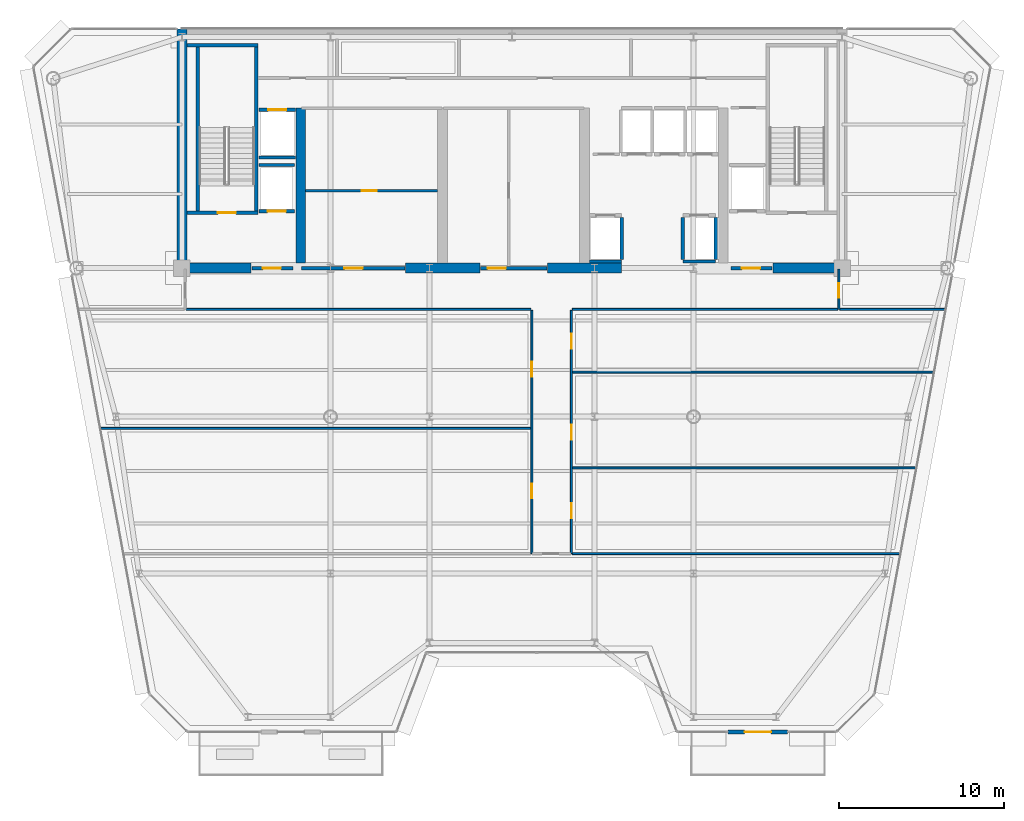
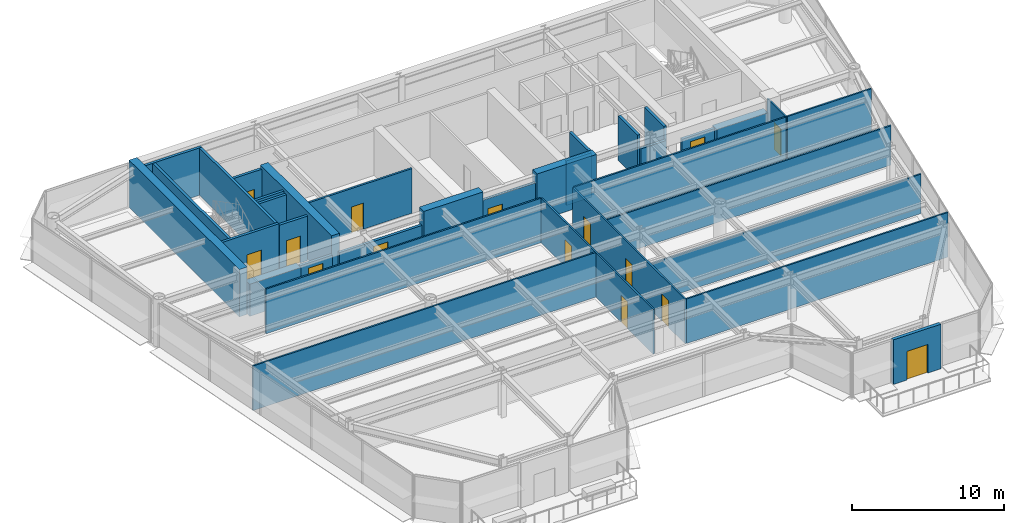
# One storey, part 10 of 16: 35 walls, 15 doors, 15 openings.
"""IFC4 building model written with IfcOpenShell, lengths in metres."""

from ifc_helpers import new_model, si_unit, direction, frame, frame_2d, origin, place, context, subcontext, project, spatial, rectangle, extrude, source, transform, mapped, material, layer, layer_set, type_object, element, fill, save


model = new_model("IFC4")

# Units and contexts
model_context = context("Model", 3, precision=1e-05, world=origin(), true_north=direction((0.0, 1.0)))
body_context = subcontext(model_context, "Body", "Model", "MODEL_VIEW")
ifc_project = project(units=[si_unit("LENGTHUNIT", "METRE"), si_unit("AREAUNIT", "SQUARE_METRE"), si_unit("VOLUMEUNIT", "CUBIC_METRE"), si_unit("PLANEANGLEUNIT", "RADIAN"), si_unit("MASSUNIT", "GRAM", prefix="KILO")], contexts=[model_context])

# Site, building, storey
site_placement = place(None, origin())
site = spatial("IfcSite", under=ifc_project, at=site_placement, CompositionType="ELEMENT")
building_placement = place(site_placement, origin())
building = spatial("IfcBuilding", under=site, at=building_placement, Name="Vaeldorn Concourse Tower", CompositionType="ELEMENT")
storey_placement = place(building_placement, frame((0.0, 0.0, 207.0)))
storey = spatial("IfcBuildingStorey", under=building, at=storey_placement, Name="L53", CompositionType="ELEMENT", Elevation=207.0)

# Walls
ifc_material_1 = material(Name="Concrete C50/60", Category="concrete")
ifc_layer_1 = layer(ifc_material_1, 0.60009765625)
ifc_layer_set_1 = layer_set([ifc_layer_1], Name="Concrete C50/60")
wall_type_1 = type_object("IfcWallType", Name="WL-CORE-600", PredefinedType="SHEAR", material=ifc_layer_set_1)
wall_1_placement = place(storey_placement, frame((14.0, 36.5, 0.0), z_axis=(0.0, 0.0, 1.0), x_axis=(0.0, 1.0, 0.0)))
element("IfcWall", 1, at=wall_1_placement, inside=storey, type_object=wall_type_1, Name="Rear Core Shear Wall L53 W1", PredefinedType="SHEAR", context=body_context, shape_type="SweptSolid", body=[
    extrude(rectangle(XDim=14.5, YDim=0.60009765625, at=frame_2d((7.25, 0.0))), origin(), (0.0, 0.0, 1.0), 3.800048828125),
])
wall_2_placement = place(storey_placement, frame((14.320068359375, 36.5, 0.0), z_axis=(0.0, 0.0, 1.0), x_axis=(1.0, 0.0, 0.0)))
element("IfcWall", 2, at=wall_2_placement, inside=storey, type_object=wall_type_1, Name="Rear Core Shear Wall L53 S1", PredefinedType="SHEAR", context=body_context, shape_type="SweptSolid", body=[
    extrude(rectangle(XDim=3.8798828125, YDim=0.60009765625, at=frame_2d((1.93994140625, 0.0))), origin(), (0.0, 0.0, 1.0), 2.580078125),
])
for number, where, z_axis, x_axis, name in (
    (3, (27.550048828125, 36.5, 0.0), (0.0, 0.0, 1.0), (1.0, 0.0, 0.0), "Rear Core Shear Wall L53 S2"),
    (4, (36.14990234375, 36.5, 0.0), (0.0, 0.0, 1.0), (1.0, 0.0, 0.0), "Rear Core Shear Wall L53 S3"),
):
    element("IfcWall", number, at=place(storey_placement, frame(where, z_axis=z_axis, x_axis=x_axis)), inside=storey, type_object=wall_type_1, Name=name, PredefinedType="SHEAR", context=body_context, shape_type="SweptSolid", body=[
        extrude(rectangle(XDim=4.5, YDim=0.60009765625, at=frame_2d((2.25, 0.0))), origin(), (0.0, 0.0, 1.0), 3.800048828125),
    ])
wall_3_placement = place(storey_placement, frame((49.800048828125, 36.5, 0.0), z_axis=(0.0, 0.0, 1.0), x_axis=(1.0, 0.0, 0.0)))
element("IfcWall", 5, at=wall_3_placement, inside=storey, type_object=wall_type_1, Name="Rear Core Shear Wall L53 S4", PredefinedType="SHEAR", context=body_context, shape_type="SweptSolid", body=[
    extrude(rectangle(XDim=3.8798828125, YDim=0.60009765625, at=frame_2d((1.93994140625, 0.0))), origin(), (0.0, 0.0, 1.0), 2.580078125),
])
wall_4_placement = place(storey_placement, frame((21.199951171875, 36.820068359375, 0.0), z_axis=(0.0, 0.0, 1.0), x_axis=(0.0, 1.0, 0.0)))
element("IfcWall", 6, at=wall_4_placement, inside=storey, type_object=wall_type_1, Name="Rear Core Shear Wall L53 M1", PredefinedType="SHEAR", context=body_context, shape_type="SweptSolid", body=[
    extrude(rectangle(XDim=9.3798828125, YDim=0.60009765625, at=frame_2d((4.68994140625, 0.0))), origin(), (0.0, 0.0, 1.0), 3.800048828125),
])

# Wall, opening, door
ifc_material_2 = material(Name="Precast concrete C40/50", Category="concrete")
ifc_layer_2 = layer(ifc_material_2, 0.25)
ifc_layer_set_2 = layer_set([ifc_layer_2], Name="Precast concrete C40/50")
wall_type_2 = type_object("IfcWallType", Name="WL-EXT-TERRACE-250", PredefinedType="STANDARD", material=ifc_layer_set_2)
wall_5_placement = place(storey_placement, frame((50.699951171875, 8.39990234375, 0.0), z_axis=(0.0, 0.0, 1.0), x_axis=(-1.0, 0.0, 0.0)))
wall_5 = element("IfcWall", 7, at=wall_5_placement, inside=storey, type_object=wall_type_2, Name="Sawtooth Sky Garden Portal Wall L53-2", PredefinedType="STANDARD", context=body_context, shape_type="SweptSolid", body=[
    extrude(rectangle(XDim=3.599853515625, YDim=0.25, at=frame_2d((1.7998046875, 0.0))), origin(), (0.0, 0.0, 1.0), 3.580078125),
])
opening_1_placement = place(wall_5_placement, frame((1.0, 0.0, 0.0)))
opening_1 = element("IfcOpeningElement", 8, at=opening_1_placement, cuts=wall_5, Name="Opening DG-1", PredefinedType="OPENING", context=body_context, shape_type="SweptSolid", body=[
    extrude(rectangle(XDim=1.60009765625, YDim=2.300048828125, at=frame_2d((0.800048828125, 1.14990234375))), frame((0.0, 0.135009765625, 0.0), z_axis=(0.0, -1.0, 0.0), x_axis=(1.0, 0.0, 0.0)), (0.0, 0.0, 1.0), 0.27001953125),
])
ifc_material_3 = material(Name="Anodised Bronze Aluminium", Category="aluminium")
door_type_1 = type_object("IfcDoorType", Name="DR-EXTERNAL-1600", OperationType="DOUBLE_DOOR_SINGLE_SWING", PredefinedType="DOOR", material=ifc_material_3)
shared_shape_1 = source(origin(), body_context, "Body", "SweptSolid", [
    extrude(rectangle(XDim=1.60009765625, YDim=2.300048828125, at=frame_2d((0.800048828125, 1.14990234375))), frame((0.0, 0.02490234375, 0.0), z_axis=(0.0, -1.0, 0.0), x_axis=(1.0, 0.0, 0.0)), (0.0, 0.0, 1.0), 0.050048828125),
])
door_1_placement = place(opening_1_placement, origin())
door_1 = element("IfcDoor", 9, at=door_1_placement, inside=storey, type_object=door_type_1, Name="Sawtooth Sky Garden Terrace Door L53-2", OperationType="DOUBLE_DOOR_SINGLE_SWING", OverallHeight=2.300048828125, OverallWidth=1.60009765625, PredefinedType="DOOR", context=body_context, shape_type="MappedRepresentation", body=[
    mapped(shared_shape_1, transform((0.0, 0.0, 0.0), scale=1.0)),
])
fill(opening_1, door_1)

# Walls
ifc_material_4 = material(Name="Gypsum Board Partition", Category="gypsum")
ifc_layer_3 = layer(ifc_material_4, 0.1201171875)
ifc_layer_set_3 = layer_set([ifc_layer_3], Name="Gypsum Board Partition")
wall_type_3 = type_object("IfcWallType", Name="WL-PART-120", PredefinedType="PARTITIONING", material=ifc_layer_set_3)
wall_6_placement = place(storey_placement, frame((14.260009765625, 34.0, 0.0), z_axis=(0.0, 0.0, 1.0), x_axis=(1.0, 0.0, 0.0)))
element("IfcWall", 10, at=wall_6_placement, inside=storey, type_object=wall_type_3, Name="Interior Wall PW-L53-C3SW", PredefinedType="PARTITIONING", context=body_context, shape_type="SweptSolid", body=[
    extrude(rectangle(XDim=20.8798828125, YDim=0.1201171875, at=frame_2d((10.43994140625, 0.0))), origin(), (0.0, 0.0, 1.0), 3.580078125),
])
wall_7_placement = place(storey_placement, frame((37.659912109375, 34.0, 0.0), z_axis=(0.0, 0.0, 1.0), x_axis=(1.0, 0.0, 0.0)))
element("IfcWall", 11, at=wall_7_placement, inside=storey, type_object=wall_type_3, Name="Interior Wall PW-L53-C3SE", PredefinedType="PARTITIONING", context=body_context, shape_type="SweptSolid", body=[
    extrude(rectangle(XDim=16.080078125, YDim=0.1201171875, at=frame_2d((8.0400390625, 0.0))), origin(), (0.0, 0.0, 1.0), 3.580078125),
])

# Wall, opening, door
wall_8_placement = place(storey_placement, frame((53.800048828125, 34.0, 0.0), z_axis=(0.0, 0.0, 1.0), x_axis=(0.0, 1.0, 0.0)))
wall_8 = element("IfcWall", 12, at=wall_8_placement, inside=storey, type_object=wall_type_3, Name="Interior Wall PW-L53-C3E", PredefinedType="PARTITIONING", context=body_context, shape_type="SweptSolid", body=[
    extrude(rectangle(XDim=2.43994140625, YDim=0.1201171875, at=frame_2d((1.219970703125, 0.0))), origin(), (0.0, 0.0, 1.0), 3.580078125),
])
opening_2_placement = place(wall_8_placement, frame((0.699951171875, 0.0, 0.0)))
opening_2 = element("IfcOpeningElement", 13, at=opening_2_placement, cuts=wall_8, Name="Opening D-03", PredefinedType="OPENING", context=body_context, shape_type="SweptSolid", body=[
    extrude(rectangle(XDim=0.89990234375, YDim=2.14990234375, at=frame_2d((0.449951171875, 1.074951171875))), frame((0.0, 0.070068359375, 0.0), z_axis=(0.0, -1.0, 0.0), x_axis=(1.0, 0.0, 0.0)), (0.0, 0.0, 1.0), 0.14013671875),
])
ifc_material_5 = material(Name="Acoustic Bronze-Framed Glass Door", Category="glass")
door_type_2 = type_object("IfcDoorType", Name="DR-INT-900", OperationType="NOTDEFINED", PredefinedType="DOOR", material=ifc_material_5)
shared_shape_2 = source(origin(), body_context, "Body", "SweptSolid", [
    extrude(rectangle(XDim=0.89990234375, YDim=2.14990234375, at=frame_2d((0.449951171875, 1.074951171875))), frame((0.0, 0.02490234375, 0.0), z_axis=(0.0, -1.0, 0.0), x_axis=(1.0, 0.0, 0.0)), (0.0, 0.0, 1.0), 0.050048828125),
])
door_2_placement = place(opening_2_placement, origin())
door_2 = element("IfcDoor", 14, at=door_2_placement, inside=storey, type_object=door_type_2, Name="Interior Door DR-L53-Z3NE", OperationType="SINGLE_SWING_RIGHT", OverallHeight=2.14990234375, OverallWidth=0.89990234375, PredefinedType="DOOR", context=body_context, shape_type="MappedRepresentation", body=[
    mapped(shared_shape_2, transform((0.0, 0.0, 0.0), scale=1.0)),
])
fill(opening_2, door_2)

# Wall, openings, doors
wall_9_placement = place(storey_placement, frame((35.199951171875, 19.199951171875, 0.0), z_axis=(0.0, 0.0, 1.0), x_axis=(0.0, 1.0, 0.0)))
wall_9 = element("IfcWall", 15, at=wall_9_placement, inside=storey, type_object=wall_type_3, Name="Interior Wall PW-L53-CSPW", PredefinedType="PARTITIONING", context=body_context, shape_type="SweptSolid", body=[
    extrude(rectangle(XDim=14.739990234375, YDim=0.1201171875, at=frame_2d((7.3701171875, 0.0))), origin(), (0.0, 0.0, 1.0), 3.580078125),
])
opening_3_placement = place(wall_9_placement, frame((3.35009765625, 0.0, 0.0)))
opening_3 = element("IfcOpeningElement", 16, at=opening_3_placement, cuts=wall_9, Name="Opening D-03", PredefinedType="OPENING", context=body_context, shape_type="SweptSolid", body=[
    extrude(rectangle(XDim=0.89990234375, YDim=2.14990234375, at=frame_2d((0.449951171875, 1.074951171875))), frame((0.0, 0.070068359375, 0.0), z_axis=(0.0, -1.0, 0.0), x_axis=(1.0, 0.0, 0.0)), (0.0, 0.0, 1.0), 0.14013671875),
])
opening_4_placement = place(wall_9_placement, frame((10.719970703125, 0.0, 0.0)))
opening_4 = element("IfcOpeningElement", 17, at=opening_4_placement, cuts=wall_9, Name="Opening D-03", PredefinedType="OPENING", context=body_context, shape_type="SweptSolid", body=[
    extrude(rectangle(XDim=0.89990234375, YDim=2.14990234375, at=frame_2d((0.449951171875, 1.074951171875))), frame((0.0, 0.070068359375, 0.0), z_axis=(0.0, -1.0, 0.0), x_axis=(1.0, 0.0, 0.0)), (0.0, 0.0, 1.0), 0.14013671875),
])
door_3_placement = place(opening_3_placement, origin())
door_3 = element("IfcDoor", 18, at=door_3_placement, inside=storey, type_object=door_type_2, Name="Interior Door DR-L53-Z3W1", OperationType="SINGLE_SWING_LEFT", OverallHeight=2.14990234375, OverallWidth=0.89990234375, PredefinedType="DOOR", context=body_context, shape_type="MappedRepresentation", body=[
    mapped(shared_shape_2, transform((0.0, 0.0, 0.0), scale=1.0)),
])
fill(opening_3, door_3)
door_4_placement = place(opening_4_placement, origin())
door_4 = element("IfcDoor", 19, at=door_4_placement, inside=storey, type_object=door_type_2, Name="Interior Door DR-L53-Z3W2", OperationType="SINGLE_SWING_RIGHT", OverallHeight=2.14990234375, OverallWidth=0.89990234375, PredefinedType="DOOR", context=body_context, shape_type="MappedRepresentation", body=[
    mapped(shared_shape_2, transform((0.0, 0.0, 0.0), scale=1.0)),
])
fill(opening_4, door_4)

wall_10_placement = place(storey_placement, frame((37.60009765625, 19.199951171875, 0.0), z_axis=(0.0, 0.0, 1.0), x_axis=(0.0, 1.0, 0.0)))
wall_10 = element("IfcWall", 20, at=wall_10_placement, inside=storey, type_object=wall_type_3, Name="Interior Wall PW-L53-CSPE", PredefinedType="PARTITIONING", context=body_context, shape_type="SweptSolid", body=[
    extrude(rectangle(XDim=14.739990234375, YDim=0.1201171875, at=frame_2d((7.3701171875, 0.0))), origin(), (0.0, 0.0, 1.0), 3.580078125),
])
opening_5_placement = place(wall_10_placement, frame((2.14990234375, 0.0, 0.0)))
opening_5 = element("IfcOpeningElement", 21, at=opening_5_placement, cuts=wall_10, Name="Opening D-03", PredefinedType="OPENING", context=body_context, shape_type="SweptSolid", body=[
    extrude(rectangle(XDim=0.89990234375, YDim=2.14990234375, at=frame_2d((0.449951171875, 1.074951171875))), frame((0.0, 0.070068359375, 0.0), z_axis=(0.0, -1.0, 0.0), x_axis=(1.0, 0.0, 0.0)), (0.0, 0.0, 1.0), 0.14013671875),
])
opening_6_placement = place(wall_10_placement, frame((6.89990234375, 0.0, 0.0)))
opening_6 = element("IfcOpeningElement", 22, at=opening_6_placement, cuts=wall_10, Name="Opening D-03", PredefinedType="OPENING", context=body_context, shape_type="SweptSolid", body=[
    extrude(rectangle(XDim=0.89990234375, YDim=2.14990234375, at=frame_2d((0.449951171875, 1.074951171875))), frame((0.0, 0.070068359375, 0.0), z_axis=(0.0, -1.0, 0.0), x_axis=(1.0, 0.0, 0.0)), (0.0, 0.0, 1.0), 0.14013671875),
])
opening_7_placement = place(wall_10_placement, frame((12.419921875, 0.0, 0.0)))
opening_7 = element("IfcOpeningElement", 23, at=opening_7_placement, cuts=wall_10, Name="Opening D-03", PredefinedType="OPENING", context=body_context, shape_type="SweptSolid", body=[
    extrude(rectangle(XDim=0.89990234375, YDim=2.14990234375, at=frame_2d((0.449951171875, 1.074951171875))), frame((0.0, 0.070068359375, 0.0), z_axis=(0.0, -1.0, 0.0), x_axis=(1.0, 0.0, 0.0)), (0.0, 0.0, 1.0), 0.14013671875),
])
door_5_placement = place(opening_5_placement, origin())
door_5 = element("IfcDoor", 24, at=door_5_placement, inside=storey, type_object=door_type_2, Name="Interior Door DR-L53-Z3E1", OperationType="SINGLE_SWING_RIGHT", OverallHeight=2.14990234375, OverallWidth=0.89990234375, PredefinedType="DOOR", context=body_context, shape_type="MappedRepresentation", body=[
    mapped(shared_shape_2, transform((0.0, 0.0, 0.0), scale=1.0)),
])
fill(opening_5, door_5)
door_6_placement = place(opening_6_placement, origin())
door_6 = element("IfcDoor", 25, at=door_6_placement, inside=storey, type_object=door_type_2, Name="Interior Door DR-L53-Z3E2", OperationType="SINGLE_SWING_LEFT", OverallHeight=2.14990234375, OverallWidth=0.89990234375, PredefinedType="DOOR", context=body_context, shape_type="MappedRepresentation", body=[
    mapped(shared_shape_2, transform((0.0, 0.0, 0.0), scale=1.0)),
])
fill(opening_6, door_6)
door_7_placement = place(opening_7_placement, origin())
door_7 = element("IfcDoor", 26, at=door_7_placement, inside=storey, type_object=door_type_2, Name="Interior Door DR-L53-Z3E3", OperationType="SINGLE_SWING_RIGHT", OverallHeight=2.14990234375, OverallWidth=0.89990234375, PredefinedType="DOOR", context=body_context, shape_type="MappedRepresentation", body=[
    mapped(shared_shape_2, transform((0.0, 0.0, 0.0), scale=1.0)),
])
fill(opening_7, door_7)

# Walls
wall_11_placement = place(storey_placement, frame((53.860107421875, 34.0, 0.0), z_axis=(0.0, 0.0, 1.0), x_axis=(1.0, 0.0, 0.0)))
element("IfcWall", 27, at=wall_11_placement, inside=storey, type_object=wall_type_3, Name="Interior Wall PW-L53-Z3NEB", PredefinedType="PARTITIONING", context=body_context, shape_type="SweptSolid", body=[
    extrude(rectangle(XDim=6.380859375, YDim=0.1201171875, at=frame_2d((3.1904296875, 0.0))), origin(), (0.0, 0.0, 1.0), 3.580078125),
])
wall_12_placement = place(storey_placement, frame((9.0908203125, 26.800048828125, 0.0), z_axis=(0.0, 0.0, 1.0), x_axis=(1.0, 0.0, 0.0)))
element("IfcWall", 28, at=wall_12_placement, inside=storey, type_object=wall_type_3, Name="Interior Wall PW-L53-Z3WY1", PredefinedType="PARTITIONING", context=body_context, shape_type="SweptSolid", body=[
    extrude(rectangle(XDim=26.049072265625, YDim=0.1201171875, at=frame_2d((13.0244140625, 0.0))), origin(), (0.0, 0.0, 1.0), 3.580078125),
])
wall_13_placement = place(storey_placement, frame((37.659912109375, 24.39990234375, 0.0), z_axis=(0.0, 0.0, 1.0), x_axis=(1.0, 0.0, 0.0)))
element("IfcWall", 29, at=wall_13_placement, inside=storey, type_object=wall_type_3, Name="Interior Wall PW-L53-Z3EY1", PredefinedType="PARTITIONING", context=body_context, shape_type="SweptSolid", body=[
    extrude(rectangle(XDim=20.80517578125, YDim=0.1201171875, at=frame_2d((10.402587890625, 0.0))), origin(), (0.0, 0.0, 1.0), 3.169921875),
])
wall_14_placement = place(storey_placement, frame((37.659912109375, 30.199951171875, 0.0), z_axis=(0.0, 0.0, 1.0), x_axis=(1.0, 0.0, 0.0)))
element("IfcWall", 30, at=wall_14_placement, inside=storey, type_object=wall_type_3, Name="Interior Wall PW-L53-Z3EY2", PredefinedType="PARTITIONING", context=body_context, shape_type="SweptSolid", body=[
    extrude(rectangle(XDim=21.878173828125, YDim=0.1201171875, at=frame_2d((10.93896484375, 0.0))), origin(), (0.0, 0.0, 1.0), 3.169921875),
])
wall_15_placement = place(storey_placement, frame((37.659912109375, 19.199951171875, 0.0), z_axis=(0.0, 0.0, 1.0), x_axis=(1.0, 0.0, 0.0)))
element("IfcWall", 31, at=wall_15_placement, inside=storey, type_object=wall_type_3, Name="Interior Wall PW-L53-Z3SEL", PredefinedType="PARTITIONING", context=body_context, shape_type="SweptSolid", body=[
    extrude(rectangle(XDim=19.843505859375, YDim=0.1201171875, at=frame_2d((9.921875, 0.0))), origin(), (0.0, 0.0, 1.0), 3.580078125),
])

# Wall, opening, door
ifc_layer_4 = layer(ifc_material_4, 0.14990234375)
ifc_layer_set_4 = layer_set([ifc_layer_4], Name="Gypsum Board Partition")
wall_type_4 = type_object("IfcWallType", Name="WL-PART-150", PredefinedType="PARTITIONING", material=ifc_layer_set_4)
wall_16_placement = place(storey_placement, frame((21.5, 41.199951171875, 0.0), z_axis=(0.0, 0.0, 1.0), x_axis=(1.0, 0.0, 0.0)))
wall_16 = element("IfcWall", 32, at=wall_16_placement, inside=storey, type_object=wall_type_4, Name="Interior Wall CW-L53-R1M", PredefinedType="PARTITIONING", context=body_context, shape_type="SweptSolid", body=[
    extrude(rectangle(XDim=8.0, YDim=0.14990234375, at=frame_2d((4.0, 0.0))), origin(), (0.0, 0.0, 1.0), 3.580078125),
])
opening_8_placement = place(wall_16_placement, frame((3.39990234375, 0.0, 0.0)))
opening_8 = element("IfcOpeningElement", 33, at=opening_8_placement, cuts=wall_16, Name="Opening D-02", PredefinedType="OPENING", context=body_context, shape_type="SweptSolid", body=[
    extrude(rectangle(XDim=0.89990234375, YDim=2.10009765625, at=frame_2d((0.449951171875, 1.050048828125))), frame((0.0, 0.0849609375, 0.0), z_axis=(0.0, -1.0, 0.0), x_axis=(1.0, 0.0, 0.0)), (0.0, 0.0, 1.0), 0.169921875),
])
ifc_material_6 = material(Name="Fire-Rated Timber Leaf", Category="wood")
door_type_3 = type_object("IfcDoorType", Name="DR-FD30-900", OperationType="NOTDEFINED", PredefinedType="DOOR", material=ifc_material_6)
shared_shape_3 = source(origin(), body_context, "Body", "SweptSolid", [
    extrude(rectangle(XDim=0.89990234375, YDim=2.10009765625, at=frame_2d((0.449951171875, 1.050048828125))), frame((0.0, 0.02490234375, 0.0), z_axis=(0.0, -1.0, 0.0), x_axis=(1.0, 0.0, 0.0)), (0.0, 0.0, 1.0), 0.050048828125),
])
door_8_placement = place(opening_8_placement, origin())
door_8 = element("IfcDoor", 34, at=door_8_placement, inside=storey, type_object=door_type_3, Name="Interior Door DR-L53-R1M", OperationType="SINGLE_SWING_RIGHT", OverallHeight=2.10009765625, OverallWidth=0.89990234375, PredefinedType="DOOR", context=body_context, shape_type="MappedRepresentation", body=[
    mapped(shared_shape_3, transform((0.0, 0.0, 0.0), scale=1.0)),
])
fill(opening_8, door_8)

ifc_layer_5 = layer(ifc_material_1, 0.199951171875)
ifc_layer_set_5 = layer_set([ifc_layer_5], Name="Concrete C50/60")
wall_type_5 = type_object("IfcWallType", Name="WL-SHAFT-200", PredefinedType="SOLIDWALL", material=ifc_layer_set_5)
wall_17_placement = place(storey_placement, frame((14.300048828125, 39.85009765625, 0.0), z_axis=(0.0, 0.0, 1.0), x_axis=(1.0, 0.0, 0.0)))
wall_17 = element("IfcWall", 35, at=wall_17_placement, inside=storey, type_object=wall_type_5, Name="Stair Shaft Wall CW-L53-ST-1-S", PredefinedType="SOLIDWALL", context=body_context, shape_type="SweptSolid", body=[
    extrude(rectangle(XDim=4.300048828125, YDim=0.199951171875, at=frame_2d((2.14990234375, 0.0))), origin(), (0.0, 0.0, 1.0), 3.800048828125),
])
opening_9_placement = place(wall_17_placement, frame((1.875, 0.0, 0.0)))
opening_9 = element("IfcOpeningElement", 36, at=opening_9_placement, cuts=wall_17, Name="Opening D-01", PredefinedType="OPENING", context=body_context, shape_type="SweptSolid", body=[
    extrude(rectangle(XDim=1.10009765625, YDim=2.14990234375, at=frame_2d((0.550048828125, 1.074951171875))), frame((0.0, 0.10986328125, 0.0), z_axis=(0.0, -1.0, 0.0), x_axis=(1.0, 0.0, 0.0)), (0.0, 0.0, 1.0), 0.219970703125),
])
ifc_material_7 = material(Name="Fire-Rated Timber and Steel Leaf", Category="steel")
door_type_4 = type_object("IfcDoorType", Name="DR-FD60-1100", OperationType="NOTDEFINED", PredefinedType="DOOR", material=ifc_material_7)
shared_shape_4 = source(origin(), body_context, "Body", "SweptSolid", [
    extrude(rectangle(XDim=1.10009765625, YDim=2.14990234375, at=frame_2d((0.550048828125, 1.074951171875))), frame((0.0, 0.02490234375, 0.0), z_axis=(0.0, -1.0, 0.0), x_axis=(1.0, 0.0, 0.0)), (0.0, 0.0, 1.0), 0.050048828125),
])
door_9_placement = place(opening_9_placement, origin())
door_9 = element("IfcDoor", 37, at=door_9_placement, inside=storey, type_object=door_type_4, Name="Interior Door DR-L53-ST-1", OperationType="SINGLE_SWING_LEFT", OverallHeight=2.14990234375, OverallWidth=1.10009765625, PredefinedType="DOOR", context=body_context, shape_type="MappedRepresentation", body=[
    mapped(shared_shape_4, transform((0.0, 0.0, 0.0), scale=1.0)),
])
fill(opening_9, door_9)

# Walls
wall_18_placement = place(storey_placement, frame((14.300048828125, 50.0, 0.0), z_axis=(0.0, 0.0, 1.0), x_axis=(1.0, 0.0, 0.0)))
element("IfcWall", 38, at=wall_18_placement, inside=storey, type_object=wall_type_5, Name="Stair Shaft Wall CW-L53-ST-1-N", PredefinedType="SOLIDWALL", context=body_context, shape_type="SweptSolid", body=[
    extrude(rectangle(XDim=4.300048828125, YDim=0.199951171875, at=frame_2d((2.14990234375, 0.0))), origin(), (0.0, 0.0, 1.0), 3.800048828125),
])
for number, where, z_axis, x_axis, name in (
    (39, (14.949951171875, 39.9599609375, 0.0), (0.0, 0.0, 1.0), (0.0, 1.0, 0.0), "Stair Shaft Wall CW-L53-ST-1-W"),
    (40, (18.5, 39.9599609375, 0.0), (0.0, 0.0, 1.0), (0.0, 1.0, 0.0), "Stair Shaft Wall CW-L53-ST-1-E"),
):
    element("IfcWall", number, at=place(storey_placement, frame(where, z_axis=z_axis, x_axis=x_axis)), inside=storey, type_object=wall_type_5, Name=name, PredefinedType="SOLIDWALL", context=body_context, shape_type="SweptSolid", body=[
        extrude(rectangle(XDim=9.929931640625, YDim=0.199951171875, at=frame_2d((4.96484375, 0.0))), origin(), (0.0, 0.0, 1.0), 3.800048828125),
    ])

# Wall, opening, door
wall_19_placement = place(storey_placement, frame((18.25, 36.5, 0.0), z_axis=(0.0, 0.0, 1.0), x_axis=(1.0, 0.0, 0.0)))
wall_19 = element("IfcWall", 41, at=wall_19_placement, inside=storey, type_object=wall_type_5, Name="Interior Wall CW-L53-FF1S", PredefinedType="SOLIDWALL", context=body_context, shape_type="SweptSolid", body=[
    extrude(rectangle(XDim=2.469970703125, YDim=0.199951171875, at=frame_2d((1.23486328125, 0.0))), origin(), (0.0, 0.0, 1.0), 2.570068359375),
])
opening_10_placement = place(wall_19_placement, frame((0.64990234375, 0.0, 0.0)))
opening_10 = element("IfcOpeningElement", 42, at=opening_10_placement, cuts=wall_19, Name="Opening D-01", PredefinedType="OPENING", context=body_context, shape_type="SweptSolid", body=[
    extrude(rectangle(XDim=1.10009765625, YDim=2.14990234375, at=frame_2d((0.550048828125, 1.074951171875))), frame((0.0, 0.10986328125, 0.0), z_axis=(0.0, -1.0, 0.0), x_axis=(1.0, 0.0, 0.0)), (0.0, 0.0, 1.0), 0.219970703125),
])
door_10_placement = place(opening_10_placement, origin())
door_10 = element("IfcDoor", 43, at=door_10_placement, inside=storey, type_object=door_type_4, Name="Interior Door DR-L53-FF1E", OperationType="SINGLE_SWING_RIGHT", OverallHeight=2.14990234375, OverallWidth=1.10009765625, PredefinedType="DOOR", context=body_context, shape_type="MappedRepresentation", body=[
    mapped(shared_shape_4, transform((0.0, 0.0, 0.0), scale=1.0)),
])
fill(opening_10, door_10)

wall_20_placement = place(storey_placement, frame((47.280029296875, 36.5, 0.0), z_axis=(0.0, 0.0, 1.0), x_axis=(1.0, 0.0, 0.0)))
wall_20 = element("IfcWall", 44, at=wall_20_placement, inside=storey, type_object=wall_type_5, Name="Interior Wall CW-L53-FF2S", PredefinedType="SOLIDWALL", context=body_context, shape_type="SweptSolid", body=[
    extrude(rectangle(XDim=2.469970703125, YDim=0.199951171875, at=frame_2d((1.23486328125, 0.0))), origin(), (0.0, 0.0, 1.0), 2.570068359375),
])
opening_11_placement = place(wall_20_placement, frame((0.64990234375, 0.0, 0.0)))
opening_11 = element("IfcOpeningElement", 45, at=opening_11_placement, cuts=wall_20, Name="Opening D-01", PredefinedType="OPENING", context=body_context, shape_type="SweptSolid", body=[
    extrude(rectangle(XDim=1.10009765625, YDim=2.14990234375, at=frame_2d((0.550048828125, 1.074951171875))), frame((0.0, 0.10986328125, 0.0), z_axis=(0.0, -1.0, 0.0), x_axis=(1.0, 0.0, 0.0)), (0.0, 0.0, 1.0), 0.219970703125),
])
door_11_placement = place(opening_11_placement, origin())
door_11 = element("IfcDoor", 46, at=door_11_placement, inside=storey, type_object=door_type_4, Name="Interior Door DR-L53-FF2W", OperationType="SINGLE_SWING_LEFT", OverallHeight=2.14990234375, OverallWidth=1.10009765625, PredefinedType="DOOR", context=body_context, shape_type="MappedRepresentation", body=[
    mapped(shared_shape_4, transform((0.0, 0.0, 0.0), scale=1.0)),
])
fill(opening_11, door_11)

# Walls
wall_21_placement = place(storey_placement, frame((38.7099609375, 36.89990234375, 0.0), z_axis=(0.0, 0.0, 1.0), x_axis=(1.0, 0.0, 0.0)))
element("IfcWall", 47, at=wall_21_placement, inside=storey, type_object=wall_type_5, Name="Interior Wall CW-L53-LFB-LF-13", PredefinedType="SOLIDWALL", context=body_context, shape_type="SweptSolid", body=[
    extrude(rectangle(XDim=1.919921875, YDim=0.199951171875, at=frame_2d((0.9599609375, 0.0))), origin(), (0.0, 0.0, 1.0), 3.580078125),
])
wall_22_placement = place(storey_placement, frame((40.64990234375, 37.02001953125, 0.0), z_axis=(0.0, 0.0, 1.0), x_axis=(0.0, 1.0, 0.0)))
element("IfcWall", 48, at=wall_22_placement, inside=storey, type_object=wall_type_5, Name="Interior Wall CW-L53-LFE-LF-13", PredefinedType="SOLIDWALL", context=body_context, shape_type="SweptSolid", body=[
    extrude(rectangle(XDim=2.56005859375, YDim=0.199951171875, at=frame_2d((1.280029296875, 0.0))), origin(), (0.0, 0.0, 1.0), 3.580078125),
])
wall_23_placement = place(storey_placement, frame((44.3701171875, 36.89990234375, 0.0), z_axis=(0.0, 0.0, 1.0), x_axis=(1.0, 0.0, 0.0)))
element("IfcWall", 49, at=wall_23_placement, inside=storey, type_object=wall_type_5, Name="Interior Wall CW-L53-LFB-LF-14", PredefinedType="SOLIDWALL", context=body_context, shape_type="SweptSolid", body=[
    extrude(rectangle(XDim=1.9599609375, YDim=0.199951171875, at=frame_2d((0.97998046875, 0.0))), origin(), (0.0, 0.0, 1.0), 2.570068359375),
])
for number, where, z_axis, x_axis, name in (
    (50, (44.35009765625, 37.02001953125, 0.0), (0.0, 0.0, 1.0), (0.0, 1.0, 0.0), "Interior Wall CW-L53-LFW-LF-14"),
    (51, (46.35009765625, 37.02001953125, 0.0), (0.0, 0.0, 1.0), (0.0, 1.0, 0.0), "Interior Wall CW-L53-LFE-LF-14"),
):
    element("IfcWall", number, at=place(storey_placement, frame(where, z_axis=z_axis, x_axis=x_axis)), inside=storey, type_object=wall_type_5, Name=name, PredefinedType="SOLIDWALL", context=body_context, shape_type="SweptSolid", body=[
        extrude(rectangle(XDim=2.56005859375, YDim=0.199951171875, at=frame_2d((1.280029296875, 0.0))), origin(), (0.0, 0.0, 1.0), 3.580078125),
    ])

# Wall, opening, door
wall_24_placement = place(storey_placement, frame((18.669921875, 46.10009765625, 0.0), z_axis=(0.0, 0.0, 1.0), x_axis=(1.0, 0.0, 0.0)))
wall_24 = element("IfcWall", 52, at=wall_24_placement, inside=storey, type_object=wall_type_5, Name="Interior Wall CW-L53-LF-LF-SV1", PredefinedType="SOLIDWALL", context=body_context, shape_type="SweptSolid", body=[
    extrude(rectangle(XDim=2.219970703125, YDim=0.199951171875, at=frame_2d((1.10986328125, 0.0))), origin(), (0.0, 0.0, 1.0), 3.580078125),
])
opening_12_placement = place(wall_24_placement, frame((0.56005859375, 0.0, 0.0)))
opening_12 = element("IfcOpeningElement", 53, at=opening_12_placement, cuts=wall_24, Name="Opening LD-1", PredefinedType="OPENING", context=body_context, shape_type="SweptSolid", body=[
    extrude(rectangle(XDim=1.10009765625, YDim=2.14990234375, at=frame_2d((0.550048828125, 1.074951171875))), frame((0.0, 0.10986328125, 0.0), z_axis=(0.0, -1.0, 0.0), x_axis=(1.0, 0.0, 0.0)), (0.0, 0.0, 1.0), 0.219970703125),
])
door_type_5 = type_object("IfcDoorType", Name="DR-LIFT-SLIDE-1100", OperationType="DOUBLE_DOOR_SLIDING", PredefinedType="DOOR", material=ifc_material_3)
door_12_placement = place(opening_12_placement, origin())
door_12 = element("IfcDoor", 54, at=door_12_placement, inside=storey, type_object=door_type_5, Name="Lift Landing Door LD-L53-LF-SV1", OperationType="DOUBLE_DOOR_SLIDING", OverallHeight=2.14990234375, OverallWidth=1.10009765625, PredefinedType="DOOR", context=body_context, shape_type="MappedRepresentation", body=[
    mapped(shared_shape_4, transform((0.0, 0.0, 0.0), scale=1.0)),
])
fill(opening_12, door_12)

# Wall
wall_25_placement = place(storey_placement, frame((18.669921875, 43.199951171875, 0.0), z_axis=(0.0, 0.0, 1.0), x_axis=(1.0, 0.0, 0.0)))
element("IfcWall", 55, at=wall_25_placement, inside=storey, type_object=wall_type_5, Name="Interior Wall CW-L53-LFB-LF-SV1", PredefinedType="SOLIDWALL", context=body_context, shape_type="SweptSolid", body=[
    extrude(rectangle(XDim=2.219970703125, YDim=0.199951171875, at=frame_2d((1.10986328125, 0.0))), origin(), (0.0, 0.0, 1.0), 3.580078125),
])

# Wall, opening, door
wall_26_placement = place(storey_placement, frame((18.669921875, 39.949951171875, 0.0), z_axis=(0.0, 0.0, 1.0), x_axis=(1.0, 0.0, 0.0)))
wall_26 = element("IfcWall", 56, at=wall_26_placement, inside=storey, type_object=wall_type_5, Name="Interior Wall CW-L53-LF-LF-FF1", PredefinedType="SOLIDWALL", context=body_context, shape_type="SweptSolid", body=[
    extrude(rectangle(XDim=2.16015625, YDim=0.199951171875, at=frame_2d((1.080078125, 0.0))), origin(), (0.0, 0.0, 1.0), 3.580078125),
])
opening_13_placement = place(wall_26_placement, frame((0.530029296875, 0.0, 0.0)))
opening_13 = element("IfcOpeningElement", 57, at=opening_13_placement, cuts=wall_26, Name="Opening LD-1", PredefinedType="OPENING", context=body_context, shape_type="SweptSolid", body=[
    extrude(rectangle(XDim=1.10009765625, YDim=2.14990234375, at=frame_2d((0.550048828125, 1.074951171875))), frame((0.0, 0.10986328125, 0.0), z_axis=(0.0, -1.0, 0.0), x_axis=(1.0, 0.0, 0.0)), (0.0, 0.0, 1.0), 0.219970703125),
])
door_13_placement = place(opening_13_placement, origin())
door_13 = element("IfcDoor", 58, at=door_13_placement, inside=storey, type_object=door_type_5, Name="Lift Landing Door LD-L53-LF-FF1", OperationType="DOUBLE_DOOR_SLIDING", OverallHeight=2.14990234375, OverallWidth=1.10009765625, PredefinedType="DOOR", context=body_context, shape_type="MappedRepresentation", body=[
    mapped(shared_shape_4, transform((0.0, 0.0, 0.0), scale=1.0)),
])
fill(opening_13, door_13)

# Wall
wall_27_placement = place(storey_placement, frame((18.669921875, 42.75, 0.0), z_axis=(0.0, 0.0, 1.0), x_axis=(1.0, 0.0, 0.0)))
element("IfcWall", 59, at=wall_27_placement, inside=storey, type_object=wall_type_5, Name="Interior Wall CW-L53-LFB-LF-FF1", PredefinedType="SOLIDWALL", context=body_context, shape_type="SweptSolid", body=[
    extrude(rectangle(XDim=2.16015625, YDim=0.199951171875, at=frame_2d((1.080078125, 0.0))), origin(), (0.0, 0.0, 1.0), 3.580078125),
])

# Wall, opening, door
wall_28_placement = place(storey_placement, frame((21.25, 36.5, 0.0), z_axis=(0.0, 0.0, 1.0), x_axis=(1.0, 0.0, 0.0)))
wall_28 = element("IfcWall", 60, at=wall_28_placement, inside=storey, type_object=wall_type_5, Name="Interior Wall CW-L53-R1S", PredefinedType="SOLIDWALL", context=body_context, shape_type="SweptSolid", body=[
    extrude(rectangle(XDim=6.27001953125, YDim=0.199951171875, at=frame_2d((3.135009765625, 0.0))), origin(), (0.0, 0.0, 1.0), 2.570068359375),
])
opening_14_placement = place(wall_28_placement, frame((2.60009765625, 0.0, 0.0)))
opening_14 = element("IfcOpeningElement", 61, at=opening_14_placement, cuts=wall_28, Name="Opening D-01", PredefinedType="OPENING", context=body_context, shape_type="SweptSolid", body=[
    extrude(rectangle(XDim=1.10009765625, YDim=2.14990234375, at=frame_2d((0.550048828125, 1.074951171875))), frame((0.0, 0.10986328125, 0.0), z_axis=(0.0, -1.0, 0.0), x_axis=(1.0, 0.0, 0.0)), (0.0, 0.0, 1.0), 0.219970703125),
])
door_14_placement = place(opening_14_placement, origin())
door_14 = element("IfcDoor", 62, at=door_14_placement, inside=storey, type_object=door_type_4, Name="Interior Door DR-L53-R1S", OperationType="SINGLE_SWING_LEFT", OverallHeight=2.14990234375, OverallWidth=1.10009765625, PredefinedType="DOOR", context=body_context, shape_type="MappedRepresentation", body=[
    mapped(shared_shape_4, transform((0.0, 0.0, 0.0), scale=1.0)),
])
fill(opening_14, door_14)

wall_29_placement = place(storey_placement, frame((32.080078125, 36.5, 0.0), z_axis=(0.0, 0.0, 1.0), x_axis=(1.0, 0.0, 0.0)))
wall_29 = element("IfcWall", 63, at=wall_29_placement, inside=storey, type_object=wall_type_5, Name="Interior Wall CW-L53-R2S", PredefinedType="SOLIDWALL", context=body_context, shape_type="SweptSolid", body=[
    extrude(rectangle(XDim=4.0400390625, YDim=0.199951171875, at=frame_2d((2.02001953125, 0.0))), origin(), (0.0, 0.0, 1.0), 2.969970703125),
])
opening_15_placement = place(wall_29_placement, frame((0.449951171875, 0.0, 0.0)))
opening_15 = element("IfcOpeningElement", 64, at=opening_15_placement, cuts=wall_29, Name="Opening D-01", PredefinedType="OPENING", context=body_context, shape_type="SweptSolid", body=[
    extrude(rectangle(XDim=1.10009765625, YDim=2.14990234375, at=frame_2d((0.550048828125, 1.074951171875))), frame((0.0, 0.10986328125, 0.0), z_axis=(0.0, -1.0, 0.0), x_axis=(1.0, 0.0, 0.0)), (0.0, 0.0, 1.0), 0.219970703125),
])
door_15_placement = place(opening_15_placement, origin())
door_15 = element("IfcDoor", 65, at=door_15_placement, inside=storey, type_object=door_type_4, Name="Interior Door DR-L53-R2W", OperationType="SINGLE_SWING_LEFT", OverallHeight=2.14990234375, OverallWidth=1.10009765625, PredefinedType="DOOR", context=body_context, shape_type="MappedRepresentation", body=[
    mapped(shared_shape_4, transform((0.0, 0.0, 0.0), scale=1.0)),
])
fill(opening_15, door_15)

save(model, "model.ifc")
